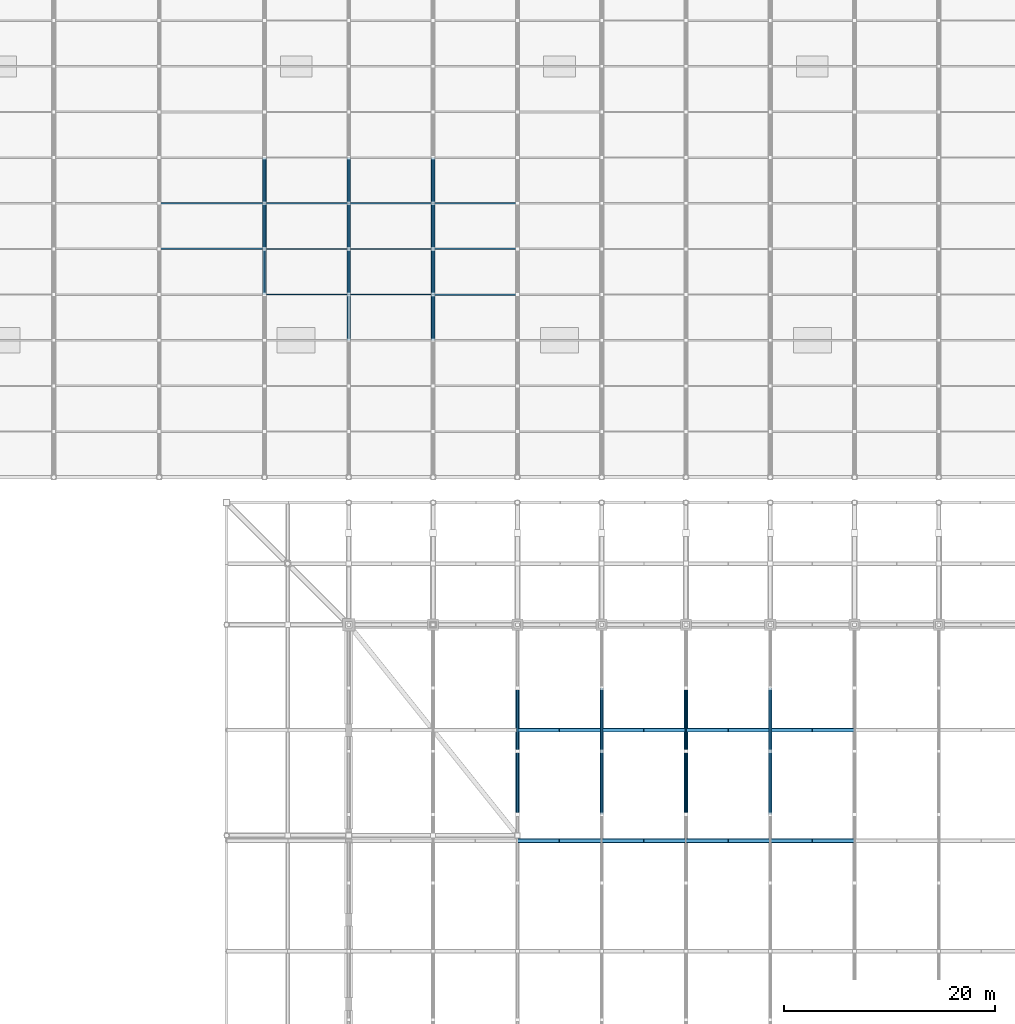
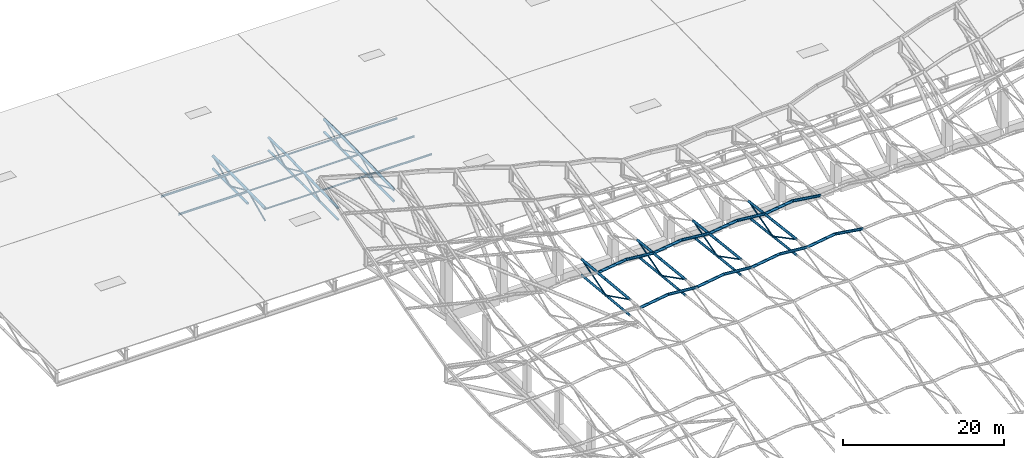
# One storey, part 14 of 75: 82 members.
"""IFC4 building model written with IfcOpenShell, lengths in metres."""

from ifc_helpers import new_model, si_unit, direction, frame, origin, origin_2d, place, context, subcontext, project, spatial, hollow_rectangle, hollow_circle, i_section, extrude, material, material_profile, profile_set, type_object, element, save


model = new_model("IFC4")

# Units and contexts
model_context = context("Model", 3, precision=1e-05, world=origin(), true_north=direction((0.0, 1.0)))
body_context = subcontext(model_context, "Body", "Model", "MODEL_VIEW")
ifc_project = project(units=[si_unit("LENGTHUNIT", "METRE"), si_unit("AREAUNIT", "SQUARE_METRE"), si_unit("VOLUMEUNIT", "CUBIC_METRE"), si_unit("PLANEANGLEUNIT", "RADIAN"), si_unit("MASSUNIT", "GRAM", prefix="KILO")], contexts=[model_context])

# Site, building, storey
site_placement = place(None, origin())
site = spatial("IfcSite", under=ifc_project, at=site_placement, CompositionType="ELEMENT")
building_placement = place(site_placement, origin())
building = spatial("IfcBuilding", under=site, at=building_placement, Name="Khorjan Park Terminus", CompositionType="ELEMENT")
storey_placement = place(building_placement, frame((0.0, 0.0, 16.2)))
storey = spatial("IfcBuildingStorey", under=building, at=storey_placement, Name="L03", CompositionType="ELEMENT", Elevation=16.2)

# Members
ifc_material = material(Name="Steel S355", Category="steel")
ifc_material_profile_1 = material_profile(ifc_material, hollow_circle(Radius=0.0842, WallThickness=0.008, at=origin_2d()), Name="CHS 168.3x8")
ifc_profile_set_1 = profile_set([ifc_material_profile_1], Name="Steel S355")
member_type_1 = type_object("IfcMemberType", Name="MB-BR-168", PredefinedType="BRACE", material=ifc_profile_set_1)
member_1_placement = place(storey_placement, frame((56.0, 115.0, -0.825), z_axis=(0.0, 0.92537575721, -0.379051062481), x_axis=(-1.0, 0.0, 0.0)))
element("IfcMember", 1, at=member_1_placement, inside=storey, type_object=member_type_1, Name="Train shed flat truss web diagonal TB-17 (T7)", PredefinedType="BRACE", context=body_context, shape_type="SweptSolid", body=[
    extrude(hollow_circle(Radius=0.0842, WallThickness=0.008, at=origin_2d()), origin(), (0.0, 0.0, 1.0), 4.6827),
])
for number, where, z_axis, x_axis, name in (
    (2, (56.0, 119.3333, -2.6), (0.0, 0.911269553162, 0.411810395061), (-1.0, 0.0, 0.0), "Train shed flat truss web diagonal TB-17 (T7)"),
    (3, (56.0, 123.6667, -0.6417), (0.0, 0.911265986802, -0.411818286745), (-1.0, 0.0, 0.0), "Train shed flat truss web diagonal TB-17 (T7)"),
    (4, (56.0, 128.0, -2.6), (0.0, 0.911265986802, 0.411818286745), (-1.0, 0.0, 0.0), "Train shed flat truss web diagonal TB-17 (T7)"),
):
    element("IfcMember", number, at=place(storey_placement, frame(where, z_axis=z_axis, x_axis=x_axis)), inside=storey, type_object=member_type_1, Name=name, PredefinedType="BRACE", context=body_context, shape_type="SweptSolid", body=[
        extrude(hollow_circle(Radius=0.0842, WallThickness=0.008, at=origin_2d()), origin(), (0.0, 0.0, 1.0), 4.7553),
    ])
ifc_material_profile_2 = material_profile(ifc_material, hollow_circle(Radius=0.0969, WallThickness=0.01, at=origin_2d()), Name="CHS 193.7x10")
ifc_profile_set_2 = profile_set([ifc_material_profile_2], Name="Steel S355")
member_type_2 = type_object("IfcMemberType", Name="MB-BR-194", PredefinedType="BRACE", material=ifc_profile_set_2)
for number, where, z_axis, x_axis, name in (
    (5, (48.0, 119.3333, -2.6), (0.0, 0.911269553162, 0.411810395061), (-1.0, 0.0, 0.0), "Train shed flat truss web diagonal TB-19 (T6)"),
    (6, (48.0, 123.6667, -0.6417), (0.0, 0.911265986802, -0.411818286745), (-1.0, 0.0, 0.0), "Train shed flat truss web diagonal TB-19 (T6)"),
    (7, (48.0, 128.0, -2.6), (0.0, 0.911265986802, 0.411818286745), (-1.0, 0.0, 0.0), "Train shed flat truss web diagonal TB-19 (T6)"),
):
    element("IfcMember", number, at=place(storey_placement, frame(where, z_axis=z_axis, x_axis=x_axis)), inside=storey, type_object=member_type_2, Name=name, PredefinedType="BRACE", context=body_context, shape_type="SweptSolid", body=[
        extrude(hollow_circle(Radius=0.0969, WallThickness=0.01, at=origin_2d()), origin(), (0.0, 0.0, 1.0), 4.7553),
    ])
member_2_placement = place(storey_placement, frame((72.0, 70.0, 7.1652), z_axis=(0.0, 0.892179610411, -0.451680797431), x_axis=(-1.0, 0.0, 0.0)))
element("IfcMember", 8, at=member_2_placement, inside=storey, type_object=member_type_2, Name="Upper shell fold space-truss web diagonal (4)", PredefinedType="BRACE", context=body_context, shape_type="SweptSolid", body=[
    extrude(hollow_circle(Radius=0.0969, WallThickness=0.01, at=origin_2d()), origin(), (0.0, 0.0, 1.0), 6.7251),
])
member_3_placement = place(storey_placement, frame((72.0, 76.0, 4.1276), z_axis=(0.0, 0.95946093439, 0.281841649477), x_axis=(-1.0, 0.0, 0.0)))
element("IfcMember", 9, at=member_3_placement, inside=storey, type_object=member_type_2, Name="Upper shell fold space-truss web diagonal (4)", PredefinedType="BRACE", context=body_context, shape_type="SweptSolid", body=[
    extrude(hollow_circle(Radius=0.0969, WallThickness=0.01, at=origin_2d()), origin(), (0.0, 0.0, 1.0), 6.2535),
])
member_4_placement = place(storey_placement, frame((88.0, 70.0, 7.6507), z_axis=(0.0, 0.88625355796, -0.463200422068), x_axis=(-1.0, 0.0, 0.0)))
element("IfcMember", 10, at=member_4_placement, inside=storey, type_object=member_type_2, Name="Upper shell fold space-truss web diagonal (6)", PredefinedType="BRACE", context=body_context, shape_type="SweptSolid", body=[
    extrude(hollow_circle(Radius=0.0969, WallThickness=0.01, at=origin_2d()), origin(), (0.0, 0.0, 1.0), 6.7701),
])
member_5_placement = place(storey_placement, frame((88.0, 76.0, 4.5148), z_axis=(0.0, 0.963628272095, 0.267246240794), x_axis=(-1.0, 0.0, 0.0)))
element("IfcMember", 11, at=member_5_placement, inside=storey, type_object=member_type_2, Name="Upper shell fold space-truss web diagonal (6)", PredefinedType="BRACE", context=body_context, shape_type="SweptSolid", body=[
    extrude(hollow_circle(Radius=0.0969, WallThickness=0.01, at=origin_2d()), origin(), (0.0, 0.0, 1.0), 6.2265),
])
ifc_material_profile_3 = material_profile(ifc_material, hollow_circle(Radius=0.1095, WallThickness=0.01, at=origin_2d()), Name="CHS 219.1x10")
ifc_profile_set_3 = profile_set([ifc_material_profile_3], Name="Steel S355")
member_type_3 = type_object("IfcMemberType", Name="MB-BR-219", PredefinedType="BRACE", material=ifc_profile_set_3)
for number, where, z_axis, x_axis, name in (
    (12, (40.0, 119.3333, -2.6), (0.0, 0.911269553162, 0.411810395061), (-1.0, 0.0, 0.0), "Train shed flat truss web diagonal TB-22 (T5)"),
    (13, (40.0, 123.6667, -0.6417), (0.0, 0.911265986802, -0.411818286745), (-1.0, 0.0, 0.0), "Train shed flat truss web diagonal TB-22 (T5)"),
    (14, (40.0, 128.0, -2.6), (0.0, 0.911265986802, 0.411818286745), (-1.0, 0.0, 0.0), "Train shed flat truss web diagonal TB-22 (T5)"),
):
    element("IfcMember", number, at=place(storey_placement, frame(where, z_axis=z_axis, x_axis=x_axis)), inside=storey, type_object=member_type_3, Name=name, PredefinedType="BRACE", context=body_context, shape_type="SweptSolid", body=[
        extrude(hollow_circle(Radius=0.1095, WallThickness=0.01, at=origin_2d()), origin(), (0.0, 0.0, 1.0), 4.7553),
    ])
ifc_material_profile_4 = material_profile(ifc_material, hollow_rectangle(XDim=0.15, YDim=0.15, WallThickness=0.01, InnerFilletRadius=0.01, OuterFilletRadius=0.02, at=origin_2d()), Name="SHS 150x150x10")
ifc_profile_set_4 = profile_set([ifc_material_profile_4], Name="Steel S355")
member_type_4 = type_object("IfcMemberType", Name="MB-BR-SHS150", PredefinedType="BRACE", material=ifc_profile_set_4)
member_6_placement = place(storey_placement, frame((64.0, 70.0, 6.9224), z_axis=(0.0, 0.895124297915, -0.445816656577), x_axis=(-1.0, 0.0, 0.0)))
element("IfcMember", 15, at=member_6_placement, inside=storey, type_object=member_type_4, Name="Upper shell fold space-truss web diagonal (3)", PredefinedType="BRACE", context=body_context, shape_type="SweptSolid", body=[
    extrude(hollow_rectangle(XDim=0.15, YDim=0.15, WallThickness=0.01, InnerFilletRadius=0.01, OuterFilletRadius=0.02, at=origin_2d()), origin(), (0.0, 0.0, 1.0), 6.703),
])
member_7_placement = place(storey_placement, frame((64.0, 76.0, 3.9341), z_axis=(0.0, 0.957315382984, 0.289045424636), x_axis=(-1.0, 0.0, 0.0)))
element("IfcMember", 16, at=member_7_placement, inside=storey, type_object=member_type_4, Name="Upper shell fold space-truss web diagonal (3)", PredefinedType="BRACE", context=body_context, shape_type="SweptSolid", body=[
    extrude(hollow_rectangle(XDim=0.15, YDim=0.15, WallThickness=0.01, InnerFilletRadius=0.01, OuterFilletRadius=0.02, at=origin_2d()), origin(), (0.0, 0.0, 1.0), 6.2675),
])
member_8_placement = place(storey_placement, frame((80.0, 70.0, 7.4079), z_axis=(0.0, 0.889228378973, -0.457463539563), x_axis=(-1.0, 0.0, 0.0)))
element("IfcMember", 17, at=member_8_placement, inside=storey, type_object=member_type_4, Name="Upper shell fold space-truss web diagonal (5)", PredefinedType="BRACE", context=body_context, shape_type="SweptSolid", body=[
    extrude(hollow_rectangle(XDim=0.15, YDim=0.15, WallThickness=0.01, InnerFilletRadius=0.01, OuterFilletRadius=0.02, at=origin_2d()), origin(), (0.0, 0.0, 1.0), 6.7474),
])
member_9_placement = place(storey_placement, frame((80.0, 76.0, 4.3212), z_axis=(0.0, 0.961569896016, 0.274560257642), x_axis=(-1.0, 0.0, 0.0)))
element("IfcMember", 18, at=member_9_placement, inside=storey, type_object=member_type_4, Name="Upper shell fold space-truss web diagonal (5)", PredefinedType="BRACE", context=body_context, shape_type="SweptSolid", body=[
    extrude(hollow_rectangle(XDim=0.15, YDim=0.15, WallThickness=0.01, InnerFilletRadius=0.01, OuterFilletRadius=0.02, at=origin_2d()), origin(), (0.0, 0.0, 1.0), 6.2398),
])
ifc_material_profile_5 = material_profile(ifc_material, hollow_circle(Radius=0.162, WallThickness=0.0125, at=origin_2d()), Name="CHS 323.9x12.5")
ifc_profile_set_5 = profile_set([ifc_material_profile_5], Name="Steel S355")
member_type_5 = type_object("IfcMemberType", Name="MB-CH-324", PredefinedType="CHORD", material=ifc_profile_set_5)
member_10_placement = place(storey_placement, frame((48.0, 115.0, -2.6), z_axis=(0.0, 1.0, 0.0), x_axis=(-1.0, 0.0, 0.0)))
element("IfcMember", 19, at=member_10_placement, inside=storey, type_object=member_type_5, Name="Train shed flat truss bottom chord TC-32 (T6)", PredefinedType="CHORD", context=body_context, shape_type="SweptSolid", body=[
    extrude(hollow_circle(Radius=0.162, WallThickness=0.0125, at=origin_2d()), origin(), (0.0, 0.0, 1.0), 4.3333),
])
member_11_placement = place(storey_placement, frame((48.0, 119.3333, -2.6), z_axis=(0.0, 1.0, 0.0), x_axis=(-1.0, 0.0, 0.0)))
element("IfcMember", 20, at=member_11_placement, inside=storey, type_object=member_type_5, Name="Train shed flat truss bottom chord TC-32 (T6)", PredefinedType="CHORD", context=body_context, shape_type="SweptSolid", body=[
    extrude(hollow_circle(Radius=0.162, WallThickness=0.0125, at=origin_2d()), origin(), (0.0, 0.0, 1.0), 4.3334),
])
for number, where, z_axis, x_axis, name in (
    (21, (48.0, 123.6667, -2.6), (0.0, 1.0, 0.0), (-1.0, 0.0, 0.0), "Train shed flat truss bottom chord TC-32 (T6)"),
    (22, (48.0, 128.0, -2.6), (0.0, 1.0, 0.0), (-1.0, 0.0, 0.0), "Train shed flat truss bottom chord TC-32 (T6)"),
):
    element("IfcMember", number, at=place(storey_placement, frame(where, z_axis=z_axis, x_axis=x_axis)), inside=storey, type_object=member_type_5, Name=name, PredefinedType="CHORD", context=body_context, shape_type="SweptSolid", body=[
        extrude(hollow_circle(Radius=0.162, WallThickness=0.0125, at=origin_2d()), origin(), (0.0, 0.0, 1.0), 4.3333),
    ])
for number, where, z_axis, x_axis, name in (
    (23, (64.0, 70.0, 4.5224), (0.0, 0.995227482841, -0.097582054693), (-1.0, 0.0, 0.0), "Upper shell fold space-truss bottom chord (3)"),
    (24, (64.0, 76.0, 3.9341), (0.0, 0.995225871827, -0.097598483831), (-1.0, 0.0, 0.0), "Upper shell fold space-truss bottom chord (3)"),
):
    element("IfcMember", number, at=place(storey_placement, frame(where, z_axis=z_axis, x_axis=x_axis)), inside=storey, type_object=member_type_5, Name=name, PredefinedType="CHORD", context=body_context, shape_type="SweptSolid", body=[
        extrude(hollow_circle(Radius=0.162, WallThickness=0.0125, at=origin_2d()), origin(), (0.0, 0.0, 1.0), 6.0288),
    ])
for number, where, z_axis, x_axis, name in (
    (25, (72.0, 70.0, 4.7652), (0.0, 0.994401073252, -0.105671687384), (-1.0, 0.0, 0.0), "Upper shell fold space-truss bottom chord (4)"),
    (26, (72.0, 76.0, 4.1276), (0.0, 0.994402814649, -0.105655299056), (-1.0, 0.0, 0.0), "Upper shell fold space-truss bottom chord (4)"),
):
    element("IfcMember", number, at=place(storey_placement, frame(where, z_axis=z_axis, x_axis=x_axis)), inside=storey, type_object=member_type_5, Name=name, PredefinedType="CHORD", context=body_context, shape_type="SweptSolid", body=[
        extrude(hollow_circle(Radius=0.162, WallThickness=0.0125, at=origin_2d()), origin(), (0.0, 0.0, 1.0), 6.0338),
    ])
for number, where, z_axis, x_axis, name in (
    (27, (80.0, 70.0, 5.0079), (0.0, 0.993514246355, -0.113707705495), (-1.0, 0.0, 0.0), "Upper shell fold space-truss bottom chord (5)"),
    (28, (80.0, 76.0, 4.3212), (0.0, 0.993512375599, -0.113724049927), (-1.0, 0.0, 0.0), "Upper shell fold space-truss bottom chord (5)"),
):
    element("IfcMember", number, at=place(storey_placement, frame(where, z_axis=z_axis, x_axis=x_axis)), inside=storey, type_object=member_type_5, Name=name, PredefinedType="CHORD", context=body_context, shape_type="SweptSolid", body=[
        extrude(hollow_circle(Radius=0.162, WallThickness=0.0125, at=origin_2d()), origin(), (0.0, 0.0, 1.0), 6.0392),
    ])
for number, where, z_axis, x_axis, name in (
    (29, (88.0, 70.0, 5.2507), (0.0, 0.992562298474, -0.121737765908), (-1.0, 0.0, 0.0), "Upper shell fold space-truss bottom chord (6)"),
    (30, (88.0, 76.0, 4.5148), (0.0, 0.992560299451, -0.121754063399), (-1.0, 0.0, 0.0), "Upper shell fold space-truss bottom chord (6)"),
):
    element("IfcMember", number, at=place(storey_placement, frame(where, z_axis=z_axis, x_axis=x_axis)), inside=storey, type_object=member_type_5, Name=name, PredefinedType="CHORD", context=body_context, shape_type="SweptSolid", body=[
        extrude(hollow_circle(Radius=0.162, WallThickness=0.0125, at=origin_2d()), origin(), (0.0, 0.0, 1.0), 6.045),
    ])
ifc_material_profile_6 = material_profile(ifc_material, hollow_circle(Radius=0.1778, WallThickness=0.016, at=origin_2d()), Name="CHS 355.6x16")
ifc_profile_set_6 = profile_set([ifc_material_profile_6], Name="Steel S355")
member_type_6 = type_object("IfcMemberType", Name="MB-CH-356", PredefinedType="CHORD", material=ifc_profile_set_6)
for number, where, z_axis, x_axis, name in (
    (31, (40.0, 123.6667, -2.6), (0.0, 1.0, 0.0), (-1.0, 0.0, 0.0), "Train shed flat truss bottom chord TC-36 (T5)"),
    (32, (40.0, 128.0, -2.6), (0.0, 1.0, 0.0), (-1.0, 0.0, 0.0), "Train shed flat truss bottom chord TC-36 (T5)"),
):
    element("IfcMember", number, at=place(storey_placement, frame(where, z_axis=z_axis, x_axis=x_axis)), inside=storey, type_object=member_type_6, Name=name, PredefinedType="CHORD", context=body_context, shape_type="SweptSolid", body=[
        extrude(hollow_circle(Radius=0.1778, WallThickness=0.016, at=origin_2d()), origin(), (0.0, 0.0, 1.0), 4.3333),
    ])
member_12_placement = place(storey_placement, frame((48.0, 115.0, -0.825), z_axis=(0.0, 0.999776166375, 0.021156964544), x_axis=(-1.0, 0.0, 0.0)))
element("IfcMember", 33, at=member_12_placement, inside=storey, type_object=member_type_6, Name="Train shed flat truss top chord TC-36 (T6)", PredefinedType="CHORD", context=body_context, shape_type="SweptSolid", body=[
    extrude(hollow_circle(Radius=0.1778, WallThickness=0.016, at=origin_2d()), origin(), (0.0, 0.0, 1.0), 4.3343),
])
member_13_placement = place(storey_placement, frame((48.0, 119.3333, -0.7333), z_axis=(0.0, 0.999776664437, 0.021133415439), x_axis=(-1.0, 0.0, 0.0)))
element("IfcMember", 34, at=member_13_placement, inside=storey, type_object=member_type_6, Name="Train shed flat truss top chord TC-36 (T6)", PredefinedType="CHORD", context=body_context, shape_type="SweptSolid", body=[
    extrude(hollow_circle(Radius=0.1778, WallThickness=0.016, at=origin_2d()), origin(), (0.0, 0.0, 1.0), 4.3344),
])
for number, where, z_axis, x_axis, name in (
    (35, (48.0, 123.6667, -0.6417), (0.0, 0.999776166375, 0.021156964544), (-1.0, 0.0, 0.0), "Train shed flat truss top chord TC-36 (T6)"),
    (36, (48.0, 128.0, -0.55), (0.0, 0.999776166375, -0.021156964544), (-1.0, 0.0, 0.0), "Train shed flat truss top chord TC-36 (T6)"),
):
    element("IfcMember", number, at=place(storey_placement, frame(where, z_axis=z_axis, x_axis=x_axis)), inside=storey, type_object=member_type_6, Name=name, PredefinedType="CHORD", context=body_context, shape_type="SweptSolid", body=[
        extrude(hollow_circle(Radius=0.1778, WallThickness=0.016, at=origin_2d()), origin(), (0.0, 0.0, 1.0), 4.3343),
    ])
member_14_placement = place(storey_placement, frame((56.0, 115.0, -2.6), z_axis=(0.0, 1.0, 0.0), x_axis=(-1.0, 0.0, 0.0)))
element("IfcMember", 37, at=member_14_placement, inside=storey, type_object=member_type_6, Name="Train shed flat truss bottom chord TC-36 (T7)", PredefinedType="CHORD", context=body_context, shape_type="SweptSolid", body=[
    extrude(hollow_circle(Radius=0.1778, WallThickness=0.016, at=origin_2d()), origin(), (0.0, 0.0, 1.0), 4.3333),
])
member_15_placement = place(storey_placement, frame((56.0, 119.3333, -2.6), z_axis=(0.0, 1.0, 0.0), x_axis=(-1.0, 0.0, 0.0)))
element("IfcMember", 38, at=member_15_placement, inside=storey, type_object=member_type_6, Name="Train shed flat truss bottom chord TC-36 (T7)", PredefinedType="CHORD", context=body_context, shape_type="SweptSolid", body=[
    extrude(hollow_circle(Radius=0.1778, WallThickness=0.016, at=origin_2d()), origin(), (0.0, 0.0, 1.0), 4.3334),
])
for number, where, z_axis, x_axis, name in (
    (39, (56.0, 123.6667, -2.6), (0.0, 1.0, 0.0), (-1.0, 0.0, 0.0), "Train shed flat truss bottom chord TC-36 (T7)"),
    (40, (56.0, 128.0, -2.6), (0.0, 1.0, 0.0), (-1.0, 0.0, 0.0), "Train shed flat truss bottom chord TC-36 (T7)"),
):
    element("IfcMember", number, at=place(storey_placement, frame(where, z_axis=z_axis, x_axis=x_axis)), inside=storey, type_object=member_type_6, Name=name, PredefinedType="CHORD", context=body_context, shape_type="SweptSolid", body=[
        extrude(hollow_circle(Radius=0.1778, WallThickness=0.016, at=origin_2d()), origin(), (0.0, 0.0, 1.0), 4.3333),
    ])
for number, where, z_axis, x_axis, name in (
    (41, (64.0, 70.0, 6.9224), (0.0, 0.995227482841, -0.097582054693), (-1.0, 0.0, 0.0), "Upper shell fold space-truss top chord (3)"),
    (42, (64.0, 76.0, 6.3341), (0.0, 0.995225871827, -0.097598483831), (-1.0, 0.0, 0.0), "Upper shell fold space-truss top chord (3)"),
):
    element("IfcMember", number, at=place(storey_placement, frame(where, z_axis=z_axis, x_axis=x_axis)), inside=storey, type_object=member_type_6, Name=name, PredefinedType="CHORD", context=body_context, shape_type="SweptSolid", body=[
        extrude(hollow_circle(Radius=0.1778, WallThickness=0.016, at=origin_2d()), origin(), (0.0, 0.0, 1.0), 6.0288),
    ])
for number, where, z_axis, x_axis, name in (
    (43, (72.0, 70.0, 7.1652), (0.0, 0.994401073252, -0.105671687384), (-1.0, 0.0, 0.0), "Upper shell fold space-truss top chord (4)"),
    (44, (72.0, 76.0, 6.5276), (0.0, 0.994402814649, -0.105655299056), (-1.0, 0.0, 0.0), "Upper shell fold space-truss top chord (4)"),
):
    element("IfcMember", number, at=place(storey_placement, frame(where, z_axis=z_axis, x_axis=x_axis)), inside=storey, type_object=member_type_6, Name=name, PredefinedType="CHORD", context=body_context, shape_type="SweptSolid", body=[
        extrude(hollow_circle(Radius=0.1778, WallThickness=0.016, at=origin_2d()), origin(), (0.0, 0.0, 1.0), 6.0338),
    ])
for number, where, z_axis, x_axis, name in (
    (45, (80.0, 70.0, 7.4079), (0.0, 0.993514246355, -0.113707705495), (-1.0, 0.0, 0.0), "Upper shell fold space-truss top chord (5)"),
    (46, (80.0, 76.0, 6.7212), (0.0, 0.993512375599, -0.113724049927), (-1.0, 0.0, 0.0), "Upper shell fold space-truss top chord (5)"),
):
    element("IfcMember", number, at=place(storey_placement, frame(where, z_axis=z_axis, x_axis=x_axis)), inside=storey, type_object=member_type_6, Name=name, PredefinedType="CHORD", context=body_context, shape_type="SweptSolid", body=[
        extrude(hollow_circle(Radius=0.1778, WallThickness=0.016, at=origin_2d()), origin(), (0.0, 0.0, 1.0), 6.0392),
    ])
for number, where, z_axis, x_axis, name in (
    (47, (88.0, 70.0, 7.6507), (0.0, 0.992562298474, -0.121737765908), (-1.0, 0.0, 0.0), "Upper shell fold space-truss top chord (6)"),
    (48, (88.0, 76.0, 6.9148), (0.0, 0.992560299451, -0.121754063399), (-1.0, 0.0, 0.0), "Upper shell fold space-truss top chord (6)"),
):
    element("IfcMember", number, at=place(storey_placement, frame(where, z_axis=z_axis, x_axis=x_axis)), inside=storey, type_object=member_type_6, Name=name, PredefinedType="CHORD", context=body_context, shape_type="SweptSolid", body=[
        extrude(hollow_circle(Radius=0.1778, WallThickness=0.016, at=origin_2d()), origin(), (0.0, 0.0, 1.0), 6.045),
    ])
ifc_material_profile_7 = material_profile(ifc_material, hollow_circle(Radius=0.2032, WallThickness=0.016, at=origin_2d()), Name="CHS 406.4x16")
ifc_profile_set_7 = profile_set([ifc_material_profile_7], Name="Steel S355")
member_type_7 = type_object("IfcMemberType", Name="MB-CH-406", PredefinedType="CHORD", material=ifc_profile_set_7)
member_16_placement = place(storey_placement, frame((40.0, 119.3333, -0.7333), z_axis=(0.0, 0.999776664437, 0.021133415439), x_axis=(-1.0, 0.0, 0.0)))
element("IfcMember", 49, at=member_16_placement, inside=storey, type_object=member_type_7, Name="Train shed flat truss top chord TC-41 (T5)", PredefinedType="CHORD", context=body_context, shape_type="SweptSolid", body=[
    extrude(hollow_circle(Radius=0.2032, WallThickness=0.016, at=origin_2d()), origin(), (0.0, 0.0, 1.0), 4.3344),
])
for number, where, z_axis, x_axis, name in (
    (50, (40.0, 123.6667, -0.6417), (0.0, 0.999776166375, 0.021156964544), (-1.0, 0.0, 0.0), "Train shed flat truss top chord TC-41 (T5)"),
    (51, (40.0, 128.0, -0.55), (0.0, 0.999776166375, -0.021156964544), (-1.0, 0.0, 0.0), "Train shed flat truss top chord TC-41 (T5)"),
    (52, (56.0, 115.0, -0.825), (0.0, 0.999776166375, 0.021156964544), (-1.0, 0.0, 0.0), "Train shed flat truss top chord TC-41 (T7)"),
):
    element("IfcMember", number, at=place(storey_placement, frame(where, z_axis=z_axis, x_axis=x_axis)), inside=storey, type_object=member_type_7, Name=name, PredefinedType="CHORD", context=body_context, shape_type="SweptSolid", body=[
        extrude(hollow_circle(Radius=0.2032, WallThickness=0.016, at=origin_2d()), origin(), (0.0, 0.0, 1.0), 4.3343),
    ])
member_17_placement = place(storey_placement, frame((56.0, 119.3333, -0.7333), z_axis=(0.0, 0.999776664437, 0.021133415439), x_axis=(-1.0, 0.0, 0.0)))
element("IfcMember", 53, at=member_17_placement, inside=storey, type_object=member_type_7, Name="Train shed flat truss top chord TC-41 (T7)", PredefinedType="CHORD", context=body_context, shape_type="SweptSolid", body=[
    extrude(hollow_circle(Radius=0.2032, WallThickness=0.016, at=origin_2d()), origin(), (0.0, 0.0, 1.0), 4.3344),
])
for number, where, z_axis, x_axis, name in (
    (54, (56.0, 123.6667, -0.6417), (0.0, 0.999776166375, 0.021156964544), (-1.0, 0.0, 0.0), "Train shed flat truss top chord TC-41 (T7)"),
    (55, (56.0, 128.0, -0.55), (0.0, 0.999776166375, -0.021156964544), (-1.0, 0.0, 0.0), "Train shed flat truss top chord TC-41 (T7)"),
):
    element("IfcMember", number, at=place(storey_placement, frame(where, z_axis=z_axis, x_axis=x_axis)), inside=storey, type_object=member_type_7, Name=name, PredefinedType="CHORD", context=body_context, shape_type="SweptSolid", body=[
        extrude(hollow_circle(Radius=0.2032, WallThickness=0.016, at=origin_2d()), origin(), (0.0, 0.0, 1.0), 4.3343),
    ])
member_18_placement = place(storey_placement, frame((64.0, 67.5, 7.2075), z_axis=(0.988622353186, 0.0, 0.150418891037), x_axis=(0.0, 1.0, 0.0)))
element("IfcMember", 56, at=member_18_placement, inside=storey, type_object=member_type_7, Name="Upper shell fold rib chord (173)", PredefinedType="CHORD", context=body_context, shape_type="SweptSolid", body=[
    extrude(hollow_circle(Radius=0.2032, WallThickness=0.016, at=origin_2d()), origin(), (0.0, 0.0, 1.0), 4.046),
])
member_19_placement = place(storey_placement, frame((68.0, 67.5, 7.8161), z_axis=(0.996294693349, 0.0, -0.086005139403), x_axis=(0.0, 1.0, 0.0)))
element("IfcMember", 57, at=member_19_placement, inside=storey, type_object=member_type_7, Name="Upper shell fold rib chord (174)", PredefinedType="CHORD", context=body_context, shape_type="SweptSolid", body=[
    extrude(hollow_circle(Radius=0.2032, WallThickness=0.016, at=origin_2d()), origin(), (0.0, 0.0, 1.0), 4.0149),
])
member_20_placement = place(storey_placement, frame((72.0, 67.5, 7.4708), z_axis=(0.988622353186, 0.0, 0.150418891037), x_axis=(0.0, 1.0, 0.0)))
element("IfcMember", 58, at=member_20_placement, inside=storey, type_object=member_type_7, Name="Upper shell fold rib chord (175)", PredefinedType="CHORD", context=body_context, shape_type="SweptSolid", body=[
    extrude(hollow_circle(Radius=0.2032, WallThickness=0.016, at=origin_2d()), origin(), (0.0, 0.0, 1.0), 4.046),
])
member_21_placement = place(storey_placement, frame((76.0, 67.5, 8.0794), z_axis=(0.996294693349, 0.0, -0.086005139403), x_axis=(0.0, 1.0, 0.0)))
element("IfcMember", 59, at=member_21_placement, inside=storey, type_object=member_type_7, Name="Upper shell fold rib chord (176)", PredefinedType="CHORD", context=body_context, shape_type="SweptSolid", body=[
    extrude(hollow_circle(Radius=0.2032, WallThickness=0.016, at=origin_2d()), origin(), (0.0, 0.0, 1.0), 4.0149),
])
member_22_placement = place(storey_placement, frame((80.0, 67.5, 7.7341), z_axis=(0.988622353186, 0.0, 0.150418891037), x_axis=(0.0, 1.0, 0.0)))
element("IfcMember", 60, at=member_22_placement, inside=storey, type_object=member_type_7, Name="Upper shell fold rib chord (177)", PredefinedType="CHORD", context=body_context, shape_type="SweptSolid", body=[
    extrude(hollow_circle(Radius=0.2032, WallThickness=0.016, at=origin_2d()), origin(), (0.0, 0.0, 1.0), 4.046),
])
member_23_placement = place(storey_placement, frame((84.0, 67.5, 8.3427), z_axis=(0.996294693349, 0.0, -0.086005139403), x_axis=(0.0, 1.0, 0.0)))
element("IfcMember", 61, at=member_23_placement, inside=storey, type_object=member_type_7, Name="Upper shell fold rib chord (178)", PredefinedType="CHORD", context=body_context, shape_type="SweptSolid", body=[
    extrude(hollow_circle(Radius=0.2032, WallThickness=0.016, at=origin_2d()), origin(), (0.0, 0.0, 1.0), 4.0149),
])
for number, where, z_axis, x_axis, name in (
    (62, (88.0, 67.5, 7.9974), (0.988622353186, 0.0, 0.150418891037), (0.0, 1.0, 0.0), "Upper shell fold rib chord (179)"),
    (63, (92.0, 67.5, 8.606), (0.988622353186, 0.0, -0.150418891037), (0.0, 1.0, 0.0), "Upper shell fold rib chord (180)"),
):
    element("IfcMember", number, at=place(storey_placement, frame(where, z_axis=z_axis, x_axis=x_axis)), inside=storey, type_object=member_type_7, Name=name, PredefinedType="CHORD", context=body_context, shape_type="SweptSolid", body=[
        extrude(hollow_circle(Radius=0.2032, WallThickness=0.016, at=origin_2d()), origin(), (0.0, 0.0, 1.0), 4.046),
    ])
member_24_placement = place(storey_placement, frame((64.0, 78.0, 6.1779), z_axis=(0.990150474603, 0.0, 0.140007277109), x_axis=(0.0, 1.0, 0.0)))
element("IfcMember", 64, at=member_24_placement, inside=storey, type_object=member_type_7, Name="Upper shell fold rib chord (199)", PredefinedType="CHORD", context=body_context, shape_type="SweptSolid", body=[
    extrude(hollow_circle(Radius=0.2032, WallThickness=0.016, at=origin_2d()), origin(), (0.0, 0.0, 1.0), 4.0398),
])
member_25_placement = place(storey_placement, frame((68.0, 78.0, 6.7435), z_axis=(0.995318870818, 0.0, -0.096645462356), x_axis=(0.0, 1.0, 0.0)))
element("IfcMember", 65, at=member_25_placement, inside=storey, type_object=member_type_7, Name="Upper shell fold rib chord (200)", PredefinedType="CHORD", context=body_context, shape_type="SweptSolid", body=[
    extrude(hollow_circle(Radius=0.2032, WallThickness=0.016, at=origin_2d()), origin(), (0.0, 0.0, 1.0), 4.0188),
])
member_26_placement = place(storey_placement, frame((72.0, 78.0, 6.3551), z_axis=(0.990150474603, 0.0, 0.140007277109), x_axis=(0.0, 1.0, 0.0)))
element("IfcMember", 66, at=member_26_placement, inside=storey, type_object=member_type_7, Name="Upper shell fold rib chord (201)", PredefinedType="CHORD", context=body_context, shape_type="SweptSolid", body=[
    extrude(hollow_circle(Radius=0.2032, WallThickness=0.016, at=origin_2d()), origin(), (0.0, 0.0, 1.0), 4.0398),
])
member_27_placement = place(storey_placement, frame((76.0, 78.0, 6.9207), z_axis=(0.995318870818, 0.0, -0.096645462356), x_axis=(0.0, 1.0, 0.0)))
element("IfcMember", 67, at=member_27_placement, inside=storey, type_object=member_type_7, Name="Upper shell fold rib chord (202)", PredefinedType="CHORD", context=body_context, shape_type="SweptSolid", body=[
    extrude(hollow_circle(Radius=0.2032, WallThickness=0.016, at=origin_2d()), origin(), (0.0, 0.0, 1.0), 4.0188),
])
member_28_placement = place(storey_placement, frame((80.0, 78.0, 6.5323), z_axis=(0.990150474603, 0.0, 0.140007277109), x_axis=(0.0, 1.0, 0.0)))
element("IfcMember", 68, at=member_28_placement, inside=storey, type_object=member_type_7, Name="Upper shell fold rib chord (203)", PredefinedType="CHORD", context=body_context, shape_type="SweptSolid", body=[
    extrude(hollow_circle(Radius=0.2032, WallThickness=0.016, at=origin_2d()), origin(), (0.0, 0.0, 1.0), 4.0398),
])
member_29_placement = place(storey_placement, frame((84.0, 78.0, 7.0979), z_axis=(0.995316476949, 0.0, -0.096670112824), x_axis=(0.0, 1.0, 0.0)))
element("IfcMember", 69, at=member_29_placement, inside=storey, type_object=member_type_7, Name="Upper shell fold rib chord (204)", PredefinedType="CHORD", context=body_context, shape_type="SweptSolid", body=[
    extrude(hollow_circle(Radius=0.2032, WallThickness=0.016, at=origin_2d()), origin(), (0.0, 0.0, 1.0), 4.0188),
])
for number, where, z_axis, x_axis, name in (
    (70, (88.0, 78.0, 6.7094), (0.990150474603, 0.0, 0.140007277109), (0.0, 1.0, 0.0), "Upper shell fold rib chord (205)"),
    (71, (92.0, 78.0, 7.275), (0.990150474603, 0.0, -0.140007277109), (0.0, 1.0, 0.0), "Upper shell fold rib chord (206)"),
):
    element("IfcMember", number, at=place(storey_placement, frame(where, z_axis=z_axis, x_axis=x_axis)), inside=storey, type_object=member_type_7, Name=name, PredefinedType="CHORD", context=body_context, shape_type="SweptSolid", body=[
        extrude(hollow_circle(Radius=0.2032, WallThickness=0.016, at=origin_2d()), origin(), (0.0, 0.0, 1.0), 4.0398),
    ])
ifc_material_profile_8 = material_profile(ifc_material, i_section(OverallWidth=0.11, OverallDepth=0.22, WebThickness=0.0059, FlangeThickness=0.0092, FilletRadius=0.012, at=origin_2d()), Name="IPE 220")
ifc_profile_set_8 = profile_set([ifc_material_profile_8], Name="Steel S355")
member_type_8 = type_object("IfcMemberType", Name="MB-PR-IPE220", PredefinedType="PURLIN", material=ifc_profile_set_8)
for number, where, z_axis, x_axis, name in (
    (72, (40.0, 119.3333, -0.8233), (1.0, 0.0, 0.0), (0.0, 1.0, 0.0), "Train shed secondary roof purlin PR-22 (Bay 5)"),
    (73, (40.0, 123.6667, -0.7317), (1.0, 0.0, 0.0), (0.0, 1.0, 0.0), "Train shed secondary roof purlin PR-22 (Bay 5)"),
    (74, (40.0, 128.0, -0.64), (1.0, 0.0, 0.0), (0.0, 1.0, 0.0), "Train shed secondary roof purlin PR-22 (Bay 5)"),
):
    element("IfcMember", number, at=place(storey_placement, frame(where, z_axis=z_axis, x_axis=x_axis)), inside=storey, type_object=member_type_8, Name=name, PredefinedType="PURLIN", context=body_context, shape_type="SweptSolid", body=[
        extrude(i_section(OverallWidth=0.11, OverallDepth=0.22, WebThickness=0.0059, FlangeThickness=0.0092, FilletRadius=0.012, at=origin_2d()), origin(), (0.0, 0.0, 1.0), 8.0),
    ])
ifc_material_profile_9 = material_profile(ifc_material, i_section(OverallWidth=0.12, OverallDepth=0.24, WebThickness=0.0062, FlangeThickness=0.0098, FilletRadius=0.015, at=origin_2d()), Name="IPE 240")
ifc_profile_set_9 = profile_set([ifc_material_profile_9], Name="Steel S355")
member_type_9 = type_object("IfcMemberType", Name="MB-PR-IPE240", PredefinedType="PURLIN", material=ifc_profile_set_9)
for number, where, z_axis, x_axis, name in (
    (75, (48.0, 119.3333, -0.8333), (1.0, 0.0, 0.0), (0.0, 1.0, 0.0), "Train shed secondary roof purlin PR-24 (Bay 6)"),
    (76, (48.0, 123.6667, -0.7417), (1.0, 0.0, 0.0), (0.0, 1.0, 0.0), "Train shed secondary roof purlin PR-24 (Bay 6)"),
    (77, (48.0, 128.0, -0.65), (1.0, 0.0, 0.0), (0.0, 1.0, 0.0), "Train shed secondary roof purlin PR-24 (Bay 6)"),
):
    element("IfcMember", number, at=place(storey_placement, frame(where, z_axis=z_axis, x_axis=x_axis)), inside=storey, type_object=member_type_9, Name=name, PredefinedType="PURLIN", context=body_context, shape_type="SweptSolid", body=[
        extrude(i_section(OverallWidth=0.12, OverallDepth=0.24, WebThickness=0.0062, FlangeThickness=0.0098, FilletRadius=0.015, at=origin_2d()), origin(), (0.0, 0.0, 1.0), 8.0),
    ])
ifc_material_profile_10 = material_profile(ifc_material, i_section(OverallWidth=0.135, OverallDepth=0.27, WebThickness=0.0066, FlangeThickness=0.0102, FilletRadius=0.015, at=origin_2d()), Name="IPE 270")
ifc_profile_set_10 = profile_set([ifc_material_profile_10], Name="Steel S355")
member_type_10 = type_object("IfcMemberType", Name="MB-PR-IPE270", PredefinedType="PURLIN", material=ifc_profile_set_10)
for number, where, z_axis, x_axis, name in (
    (78, (56.0, 119.3333, -0.8483), (1.0, 0.0, 0.0), (0.0, 1.0, 0.0), "Train shed secondary roof purlin PR-27 (Bay 7)"),
    (79, (56.0, 123.6667, -0.7567), (1.0, 0.0, 0.0), (0.0, 1.0, 0.0), "Train shed secondary roof purlin PR-27 (Bay 7)"),
    (80, (56.0, 128.0, -0.665), (1.0, 0.0, 0.0), (0.0, 1.0, 0.0), "Train shed secondary roof purlin PR-27 (Bay 7)"),
):
    element("IfcMember", number, at=place(storey_placement, frame(where, z_axis=z_axis, x_axis=x_axis)), inside=storey, type_object=member_type_10, Name=name, PredefinedType="PURLIN", context=body_context, shape_type="SweptSolid", body=[
        extrude(i_section(OverallWidth=0.135, OverallDepth=0.27, WebThickness=0.0066, FlangeThickness=0.0102, FilletRadius=0.015, at=origin_2d()), origin(), (0.0, 0.0, 1.0), 8.0),
    ])
ifc_material_profile_11 = material_profile(ifc_material, i_section(OverallWidth=0.15, OverallDepth=0.3, WebThickness=0.0071, FlangeThickness=0.0107, FilletRadius=0.015, at=origin_2d()), Name="IPE 300")
ifc_profile_set_11 = profile_set([ifc_material_profile_11], Name="Steel S355")
member_type_11 = type_object("IfcMemberType", Name="MB-PR-IPE300", PredefinedType="PURLIN", material=ifc_profile_set_11)
for number, where, z_axis, x_axis, name in (
    (81, (30.0, 123.6667, -0.7717), (1.0, 0.0, 0.0), (0.0, 1.0, 0.0), "Train shed secondary roof purlin PR-30 (Bay 4)"),
    (82, (30.0, 128.0, -0.68), (1.0, 0.0, 0.0), (0.0, 1.0, 0.0), "Train shed secondary roof purlin PR-30 (Bay 4)"),
):
    element("IfcMember", number, at=place(storey_placement, frame(where, z_axis=z_axis, x_axis=x_axis)), inside=storey, type_object=member_type_11, Name=name, PredefinedType="PURLIN", context=body_context, shape_type="SweptSolid", body=[
        extrude(i_section(OverallWidth=0.15, OverallDepth=0.3, WebThickness=0.0071, FlangeThickness=0.0107, FilletRadius=0.015, at=origin_2d()), origin(), (0.0, 0.0, 1.0), 10.0),
    ])

save(model, "model.ifc")
